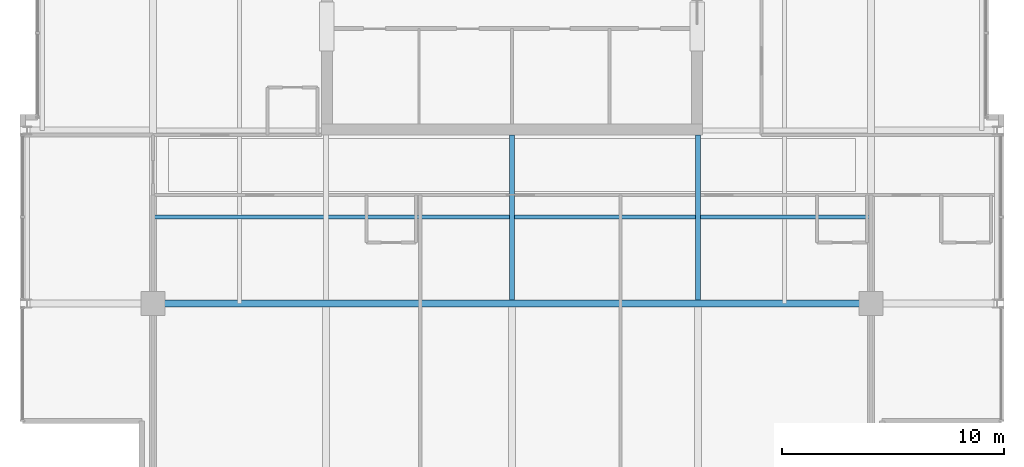
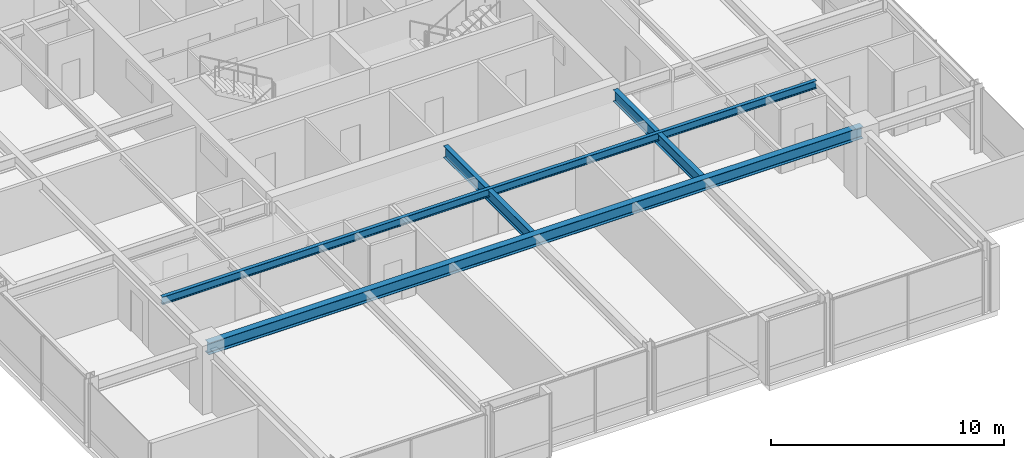
# One storey, part 7 of 31: 4 beams.
"""IFC4 building model written with IfcOpenShell, lengths in metres."""

from ifc_helpers import new_model, si_unit, direction, frame, origin, origin_2d, place, context, subcontext, project, spatial, i_section, extrude, material, material_profile, profile_set, type_object, element, save


model = new_model("IFC4")

# Units and contexts
model_context = context("Model", 3, precision=1e-05, world=origin(), true_north=direction((0.0, 1.0)))
body_context = subcontext(model_context, "Body", "Model", "MODEL_VIEW")
ifc_project = project(units=[si_unit("LENGTHUNIT", "METRE"), si_unit("AREAUNIT", "SQUARE_METRE"), si_unit("VOLUMEUNIT", "CUBIC_METRE"), si_unit("PLANEANGLEUNIT", "RADIAN"), si_unit("MASSUNIT", "GRAM", prefix="KILO")], contexts=[model_context])

# Site, building, storey
site_placement = place(None, origin())
site = spatial("IfcSite", under=ifc_project, at=site_placement, CompositionType="ELEMENT")
building_placement = place(site_placement, origin())
building = spatial("IfcBuilding", under=site, at=building_placement, Name="Drelvath Grand Hotel", CompositionType="ELEMENT")
storey_placement = place(building_placement, frame((0.0, 0.0, 219.5)))
storey = spatial("IfcBuildingStorey", under=building, at=storey_placement, Name="L57", CompositionType="ELEMENT", Elevation=219.5)

# Beams
ifc_material = material(Name="Steel ASTM A992 Gr 50", Category="steel")
ifc_material_profile_1 = material_profile(ifc_material, i_section(OverallWidth=0.177734375, OverallDepth=0.40673828125, WebThickness=0.0078125, FlangeThickness=0.0126953125, FilletRadius=0.014892578125, at=origin_2d()), Name="W16X40")
ifc_profile_set_1 = profile_set([ifc_material_profile_1], Name="Steel ASTM A992 Gr 50")
beam_type_1 = type_object("IfcBeamType", Name="Composite Floor Joist W16X40", PredefinedType="JOIST", material=ifc_profile_set_1)
beam_1_placement = place(storey_placement, frame((-16.199951171875, 14.699951171875, 3.13671875), z_axis=(1.0, 0.0, 0.0), x_axis=(0.0, 1.0, 0.0)))
element("IfcBeam", 1, at=beam_1_placement, inside=storey, type_object=beam_type_1, Name="L57 Floor Joist J1", PredefinedType="JOIST", context=body_context, shape_type="SweptSolid", body=[
    extrude(i_section(OverallWidth=0.177734375, OverallDepth=0.40673828125, WebThickness=0.0078125, FlangeThickness=0.0126953125, FilletRadius=0.014892578125, at=origin_2d()), origin(), (0.0, 0.0, 1.0), 32.39990234375),
])
ifc_material_profile_2 = material_profile(ifc_material, i_section(OverallWidth=0.323974609375, OverallDepth=0.611083984375, WebThickness=0.0126953125, FlangeThickness=0.01904296875, FilletRadius=0.02197265625, at=origin_2d()), Name="W24X104")
ifc_profile_set_2 = profile_set([ifc_material_profile_2], Name="Steel ASTM A992 Gr 50")
beam_type_2 = type_object("IfcBeamType", Name="Primary Floor Girder W24X104", PredefinedType="BEAM", material=ifc_profile_set_2)
beam_2_placement = place(storey_placement, frame((-16.199951171875, 10.800048828125, 3.034423828125), z_axis=(1.0, 0.0, 0.0), x_axis=(0.0, 1.0, 0.0)))
element("IfcBeam", 2, at=beam_2_placement, inside=storey, type_object=beam_type_2, Name="L57 Mega Ring Girder South", PredefinedType="BEAM", context=body_context, shape_type="SweptSolid", body=[
    extrude(i_section(OverallWidth=0.323974609375, OverallDepth=0.611083984375, WebThickness=0.0126953125, FlangeThickness=0.01904296875, FilletRadius=0.02197265625, at=origin_2d()), origin(), (0.0, 0.0, 1.0), 32.39990234375),
])
ifc_material_profile_3 = material_profile(ifc_material, i_section(OverallWidth=0.228271484375, OverallDepth=0.607666015625, WebThickness=0.01123046875, FlangeThickness=0.017333984375, FilletRadius=0.02001953125, at=origin_2d()), Name="W24X76")
ifc_profile_set_3 = profile_set([ifc_material_profile_3], Name="Steel ASTM A992 Gr 50")
beam_type_3 = type_object("IfcBeamType", Name="Primary Floor Girder W24X76", PredefinedType="BEAM", material=ifc_profile_set_3)
for number, where, z_axis, x_axis, name in (
    (3, (0.0, 10.9619140625, 3.0361328125), (0.0, 1.0, 0.0), (-1.0, 0.0, 0.0), "L57 South Core Tie 5"),
    (4, (8.39990234375, 10.9619140625, 3.0361328125), (0.0, 1.0, 0.0), (-1.0, 0.0, 0.0), "L57 South Core Tie 6"),
):
    element("IfcBeam", number, at=place(storey_placement, frame(where, z_axis=z_axis, x_axis=x_axis)), inside=storey, type_object=beam_type_3, Name=name, PredefinedType="BEAM", context=body_context, shape_type="SweptSolid", body=[
        extrude(i_section(OverallWidth=0.228271484375, OverallDepth=0.607666015625, WebThickness=0.01123046875, FlangeThickness=0.017333984375, FilletRadius=0.02001953125, at=origin_2d()), origin(), (0.0, 0.0, 1.0), 7.43798828125),
    ])

save(model, "model.ifc")
